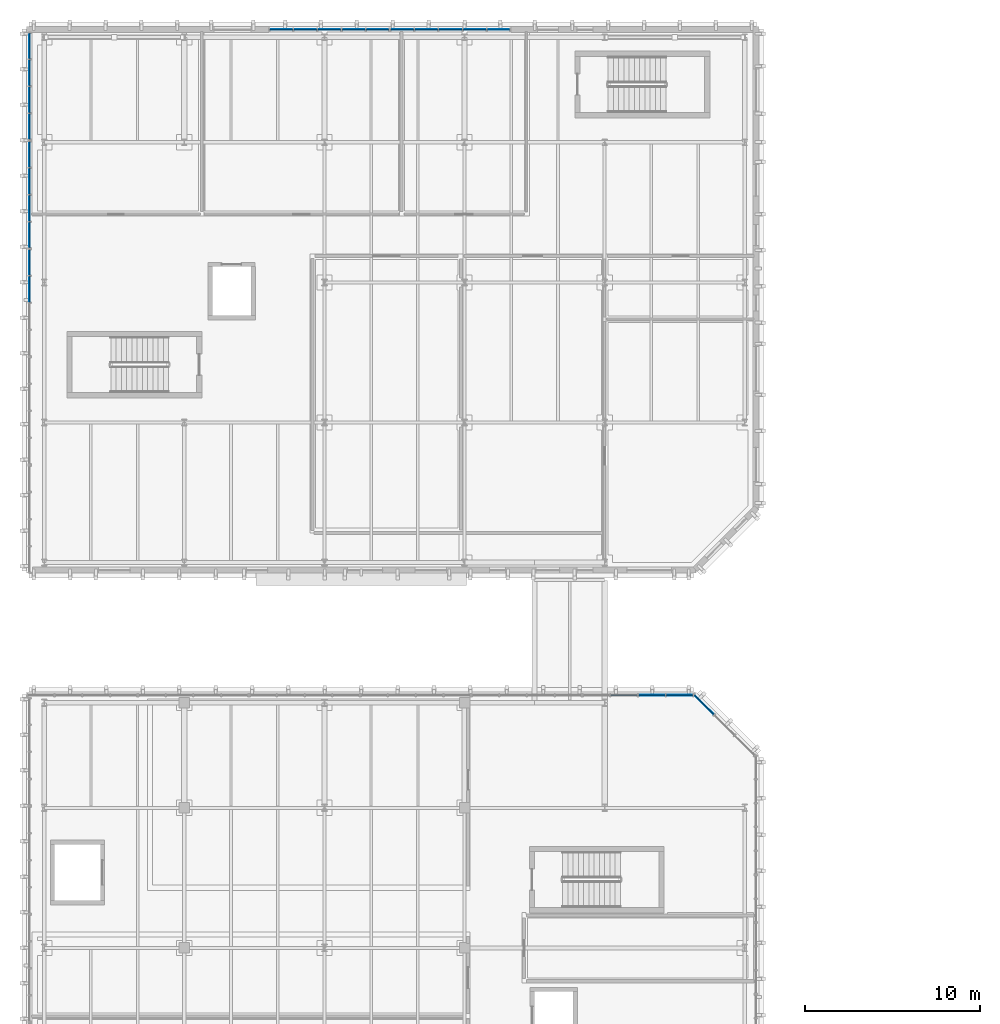
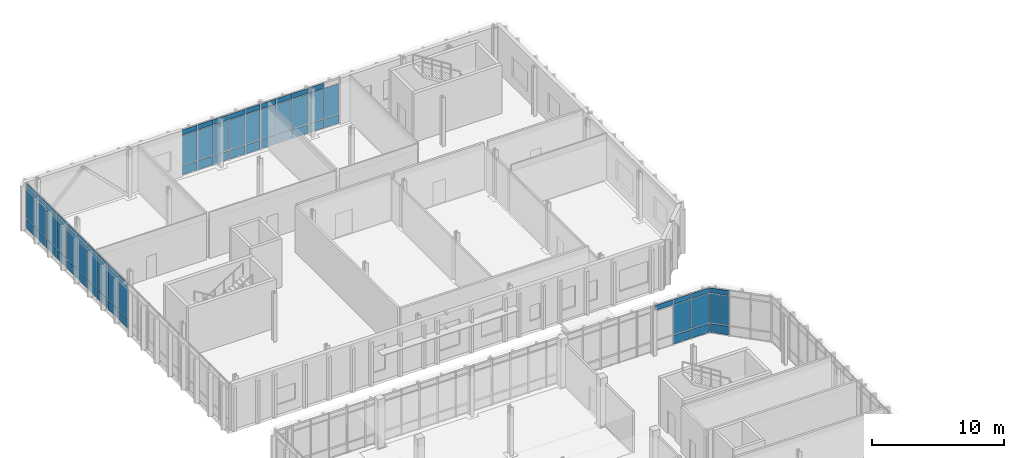
# One storey, part 34 of 62: 69 plates, 7 elements without a shape of their own.
"""IFC4 building model written with IfcOpenShell, lengths in metres."""

from ifc_helpers import new_model, si_unit, direction, frame, origin, origin_2d, place, context, subcontext, project, spatial, rectangle, extrude, material, layer, layer_set, type_object, element, aggregate, save


model = new_model("IFC4")

# Units and contexts
model_context = context("Model", 3, precision=1e-05, world=origin(), true_north=direction((0.0, 1.0)))
body_context = subcontext(model_context, "Body", "Model", "MODEL_VIEW")
ifc_project = project(units=[si_unit("LENGTHUNIT", "METRE"), si_unit("AREAUNIT", "SQUARE_METRE"), si_unit("VOLUMEUNIT", "CUBIC_METRE"), si_unit("PLANEANGLEUNIT", "RADIAN"), si_unit("MASSUNIT", "GRAM", prefix="KILO")], contexts=[model_context])

# Site, building, storey
site_placement = place(None, origin())
site = spatial("IfcSite", under=ifc_project, at=site_placement, CompositionType="ELEMENT")
building_placement = place(site_placement, origin())
building = spatial("IfcBuilding", under=site, at=building_placement, Name="Cymarion Research Institute", CompositionType="ELEMENT")
storey_placement = place(building_placement, frame((0.0, 0.0, 18.300048828125)))
storey = spatial("IfcBuildingStorey", under=building, at=storey_placement, Name="L04", CompositionType="ELEMENT", Elevation=18.300048828125)

# Curtain wall, plates
ifc_material_1 = material(Name="Anodised aluminium unitised curtain wall with Low-E glazing", Category="aluminium")
curtain_wall_type_1 = type_object("IfcCurtainWallType", Name="UNITISED CURTAIN WALL CW41 4970X4240", PredefinedType="NOTDEFINED", material=ifc_material_1)
curtain_wall_1_placement = place(storey_placement, origin())
curtain_wall_1 = element("IfcCurtainWall", 1, at=curtain_wall_1_placement, inside=storey, type_object=curtain_wall_type_1, Name="L04 V4 unitised curtain wall CW41 #181", PredefinedType="NOTDEFINED")
ifc_material_2 = material(Name="Insulated anodised aluminium spandrel panel", Category="aluminium")
ifc_layer_1 = layer(ifc_material_2, 0.06005859375)
ifc_layer_set_1 = layer_set([ifc_layer_1], Name="Insulated anodised aluminium spandrel panel")
plate_type_1 = type_object("IfcPlateType", Name="INSULATED ALUMINIUM SPANDREL PANEL SP01 60MM", PredefinedType="SHEET", material=ifc_layer_set_1)
plate_1_placement = place(storey_placement, frame((44.27587890625, 77.383544921875, 0.059814453125), z_axis=(0.0, 0.0, 1.0), x_axis=(-0.707096717405, 0.707116844825, 0.0)))
plate_1 = element("IfcPlate", 2, at=plate_1_placement, type_object=plate_type_1, Name="CW41 panel 3.1", PredefinedType="SHEET", context=body_context, shape_type="SweptSolid", body=[
    extrude(rectangle(XDim=1.566162109375, YDim=0.06005859375, at=origin_2d()), origin(), (0.0, 0.0, 1.0), 0.81005859375),
])
plate_2_placement = place(storey_placement, frame((44.27587890625, 77.383544921875, 3.719970703125), z_axis=(0.0, 0.0, 1.0), x_axis=(-0.707096717405, 0.707116844825, 0.0)))
plate_2 = element("IfcPlate", 3, at=plate_2_placement, type_object=plate_type_1, Name="CW41 panel 3.3", PredefinedType="SHEET", context=body_context, shape_type="SweptSolid", body=[
    extrude(rectangle(XDim=1.566162109375, YDim=0.06005859375, at=origin_2d()), origin(), (0.0, 0.0, 1.0), 0.4599609375),
])

curtain_wall_type_2 = type_object("IfcCurtainWallType", Name="UNITISED CURTAIN WALL CW42 6350X4240", PredefinedType="NOTDEFINED", material=ifc_material_1)
curtain_wall_2_placement = place(storey_placement, origin())
curtain_wall_2 = element("IfcCurtainWall", 4, at=curtain_wall_2_placement, inside=storey, type_object=curtain_wall_type_2, Name="L04 V4 unitised curtain wall CW42 #182", PredefinedType="NOTDEFINED")
plate_3_placement = place(storey_placement, frame((42.868896484375, 77.929931640625, 0.059814453125), z_axis=(0.0, 0.0, 1.0), x_axis=(-1.0, 0.0, 0.0)))
plate_3 = element("IfcPlate", 5, at=plate_3_placement, type_object=plate_type_1, Name="CW42 panel 1.1", PredefinedType="SHEET", context=body_context, shape_type="SweptSolid", body=[
    extrude(rectangle(XDim=1.49658203125, YDim=0.06005859375, at=origin_2d()), origin(), (0.0, 0.0, 1.0), 0.81005859375),
])
plate_4_placement = place(storey_placement, frame((42.868896484375, 77.929931640625, 3.719970703125), z_axis=(0.0, 0.0, 1.0), x_axis=(-1.0, 0.0, 0.0)))
plate_4 = element("IfcPlate", 6, at=plate_4_placement, type_object=plate_type_1, Name="CW42 panel 1.3", PredefinedType="SHEET", context=body_context, shape_type="SweptSolid", body=[
    extrude(rectangle(XDim=1.49658203125, YDim=0.06005859375, at=origin_2d()), origin(), (0.0, 0.0, 1.0), 0.4599609375),
])
plate_5_placement = place(storey_placement, frame((41.29736328125, 77.929931640625, 0.059814453125), z_axis=(0.0, 0.0, 1.0), x_axis=(-1.0, 0.0, 0.0)))
plate_5 = element("IfcPlate", 7, at=plate_5_placement, type_object=plate_type_1, Name="CW42 panel 2.1", PredefinedType="SHEET", context=body_context, shape_type="SweptSolid", body=[
    extrude(rectangle(XDim=1.526611328125, YDim=0.06005859375, at=origin_2d()), origin(), (0.0, 0.0, 1.0), 0.81005859375),
])
plate_6_placement = place(storey_placement, frame((41.29736328125, 77.929931640625, 3.719970703125), z_axis=(0.0, 0.0, 1.0), x_axis=(-1.0, 0.0, 0.0)))
plate_6 = element("IfcPlate", 8, at=plate_6_placement, type_object=plate_type_1, Name="CW42 panel 2.3", PredefinedType="SHEET", context=body_context, shape_type="SweptSolid", body=[
    extrude(rectangle(XDim=1.526611328125, YDim=0.06005859375, at=origin_2d()), origin(), (0.0, 0.0, 1.0), 0.4599609375),
])
plate_7_placement = place(storey_placement, frame((39.7109375, 77.929931640625, 3.719970703125), z_axis=(0.0, 0.0, 1.0), x_axis=(-1.0, 0.0, 0.0)))
plate_7 = element("IfcPlate", 9, at=plate_7_placement, type_object=plate_type_1, Name="CW42 panel 3.3", PredefinedType="SHEET", context=body_context, shape_type="SweptSolid", body=[
    extrude(rectangle(XDim=1.526611328125, YDim=0.06005859375, at=origin_2d()), origin(), (0.0, 0.0, 1.0), 0.4599609375),
])

curtain_wall_type_3 = type_object("IfcCurtainWallType", Name="UNITISED CURTAIN WALL CW44 6910X4280", PredefinedType="NOTDEFINED", material=ifc_material_1)
curtain_wall_3_placement = place(storey_placement, origin())
curtain_wall_3 = element("IfcCurtainWall", 10, at=curtain_wall_3_placement, inside=storey, type_object=curtain_wall_type_3, Name="L04 V5 unitised curtain wall CW44 #193", PredefinedType="NOTDEFINED")
plate_8_placement = place(storey_placement, frame((32.545654296875, 115.929931640625, 0.059814453125), z_axis=(0.0, 0.0, 1.0), x_axis=(-1.0, 0.0, 0.0)))
plate_8 = element("IfcPlate", 11, at=plate_8_placement, type_object=plate_type_1, Name="CW44 panel 1.1", PredefinedType="SHEET", context=body_context, shape_type="SweptSolid", body=[
    extrude(rectangle(XDim=1.29248046875, YDim=0.06005859375, at=origin_2d()), origin(), (0.0, 0.0, 1.0), 0.81005859375),
])
plate_9_placement = place(storey_placement, frame((31.177978515625, 115.929931640625, 0.059814453125), z_axis=(0.0, 0.0, 1.0), x_axis=(-1.0, 0.0, 0.0)))
plate_9 = element("IfcPlate", 12, at=plate_9_placement, type_object=plate_type_1, Name="CW44 panel 2.1", PredefinedType="SHEET", context=body_context, shape_type="SweptSolid", body=[
    extrude(rectangle(XDim=1.322509765625, YDim=0.06005859375, at=origin_2d()), origin(), (0.0, 0.0, 1.0), 0.81005859375),
])
plate_10_placement = place(storey_placement, frame((31.177978515625, 115.929931640625, 3.760009765625), z_axis=(0.0, 0.0, 1.0), x_axis=(-1.0, 0.0, 0.0)))
plate_10 = element("IfcPlate", 13, at=plate_10_placement, type_object=plate_type_1, Name="CW44 panel 2.3", PredefinedType="SHEET", context=body_context, shape_type="SweptSolid", body=[
    extrude(rectangle(XDim=1.322509765625, YDim=0.06005859375, at=origin_2d()), origin(), (0.0, 0.0, 1.0), 0.4599609375),
])
plate_11_placement = place(storey_placement, frame((29.79541015625, 115.929931640625, 0.059814453125), z_axis=(0.0, 0.0, 1.0), x_axis=(-1.0, 0.0, 0.0)))
plate_11 = element("IfcPlate", 14, at=plate_11_placement, type_object=plate_type_1, Name="CW44 panel 3.1", PredefinedType="SHEET", context=body_context, shape_type="SweptSolid", body=[
    extrude(rectangle(XDim=1.322509765625, YDim=0.06005859375, at=origin_2d()), origin(), (0.0, 0.0, 1.0), 0.81005859375),
])
plate_12_placement = place(storey_placement, frame((29.79541015625, 115.929931640625, 3.760009765625), z_axis=(0.0, 0.0, 1.0), x_axis=(-1.0, 0.0, 0.0)))
plate_12 = element("IfcPlate", 15, at=plate_12_placement, type_object=plate_type_1, Name="CW44 panel 3.3", PredefinedType="SHEET", context=body_context, shape_type="SweptSolid", body=[
    extrude(rectangle(XDim=1.322509765625, YDim=0.06005859375, at=origin_2d()), origin(), (0.0, 0.0, 1.0), 0.4599609375),
])
plate_13_placement = place(storey_placement, frame((28.412841796875, 115.929931640625, 0.059814453125), z_axis=(0.0, 0.0, 1.0), x_axis=(-1.0, 0.0, 0.0)))
plate_13 = element("IfcPlate", 16, at=plate_13_placement, type_object=plate_type_1, Name="CW44 panel 4.1", PredefinedType="SHEET", context=body_context, shape_type="SweptSolid", body=[
    extrude(rectangle(XDim=1.322509765625, YDim=0.06005859375, at=origin_2d()), origin(), (0.0, 0.0, 1.0), 0.81005859375),
])
plate_14_placement = place(storey_placement, frame((28.412841796875, 115.929931640625, 3.760009765625), z_axis=(0.0, 0.0, 1.0), x_axis=(-1.0, 0.0, 0.0)))
plate_14 = element("IfcPlate", 17, at=plate_14_placement, type_object=plate_type_1, Name="CW44 panel 4.3", PredefinedType="SHEET", context=body_context, shape_type="SweptSolid", body=[
    extrude(rectangle(XDim=1.322509765625, YDim=0.06005859375, at=origin_2d()), origin(), (0.0, 0.0, 1.0), 0.4599609375),
])
plate_15_placement = place(storey_placement, frame((27.04541015625, 115.929931640625, 0.059814453125), z_axis=(0.0, 0.0, 1.0), x_axis=(-1.0, 0.0, 0.0)))
plate_15 = element("IfcPlate", 18, at=plate_15_placement, type_object=plate_type_1, Name="CW44 panel 5.1", PredefinedType="SHEET", context=body_context, shape_type="SweptSolid", body=[
    extrude(rectangle(XDim=1.29248046875, YDim=0.06005859375, at=origin_2d()), origin(), (0.0, 0.0, 1.0), 0.81005859375),
])
plate_16_placement = place(storey_placement, frame((27.04541015625, 115.929931640625, 3.760009765625), z_axis=(0.0, 0.0, 1.0), x_axis=(-1.0, 0.0, 0.0)))
plate_16 = element("IfcPlate", 19, at=plate_16_placement, type_object=plate_type_1, Name="CW44 panel 5.3", PredefinedType="SHEET", context=body_context, shape_type="SweptSolid", body=[
    extrude(rectangle(XDim=1.29248046875, YDim=0.06005859375, at=origin_2d()), origin(), (0.0, 0.0, 1.0), 0.4599609375),
])

curtain_wall_4_placement = place(storey_placement, origin())
curtain_wall_4 = element("IfcCurtainWall", 20, at=curtain_wall_4_placement, inside=storey, type_object=curtain_wall_type_3, Name="L04 V5 unitised curtain wall CW44 #194", PredefinedType="NOTDEFINED")
plate_17_placement = place(storey_placement, frame((25.6328125, 115.929931640625, 0.059814453125), z_axis=(0.0, 0.0, 1.0), x_axis=(-1.0, 0.0, 0.0)))
plate_17 = element("IfcPlate", 21, at=plate_17_placement, type_object=plate_type_1, Name="CW44 panel 1.1", PredefinedType="SHEET", context=body_context, shape_type="SweptSolid", body=[
    extrude(rectangle(XDim=1.29248046875, YDim=0.06005859375, at=origin_2d()), origin(), (0.0, 0.0, 1.0), 0.81005859375),
])
plate_18_placement = place(storey_placement, frame((25.6328125, 115.929931640625, 3.760009765625), z_axis=(0.0, 0.0, 1.0), x_axis=(-1.0, 0.0, 0.0)))
plate_18 = element("IfcPlate", 22, at=plate_18_placement, type_object=plate_type_1, Name="CW44 panel 1.3", PredefinedType="SHEET", context=body_context, shape_type="SweptSolid", body=[
    extrude(rectangle(XDim=1.29248046875, YDim=0.06005859375, at=origin_2d()), origin(), (0.0, 0.0, 1.0), 0.4599609375),
])
plate_19_placement = place(storey_placement, frame((24.26513671875, 115.929931640625, 0.059814453125), z_axis=(0.0, 0.0, 1.0), x_axis=(-1.0, 0.0, 0.0)))
plate_19 = element("IfcPlate", 23, at=plate_19_placement, type_object=plate_type_1, Name="CW44 panel 2.1", PredefinedType="SHEET", context=body_context, shape_type="SweptSolid", body=[
    extrude(rectangle(XDim=1.322509765625, YDim=0.06005859375, at=origin_2d()), origin(), (0.0, 0.0, 1.0), 0.81005859375),
])
plate_20_placement = place(storey_placement, frame((24.26513671875, 115.929931640625, 3.760009765625), z_axis=(0.0, 0.0, 1.0), x_axis=(-1.0, 0.0, 0.0)))
plate_20 = element("IfcPlate", 24, at=plate_20_placement, type_object=plate_type_1, Name="CW44 panel 2.3", PredefinedType="SHEET", context=body_context, shape_type="SweptSolid", body=[
    extrude(rectangle(XDim=1.322509765625, YDim=0.06005859375, at=origin_2d()), origin(), (0.0, 0.0, 1.0), 0.4599609375),
])
plate_21_placement = place(storey_placement, frame((22.882568359375, 115.929931640625, 0.059814453125), z_axis=(0.0, 0.0, 1.0), x_axis=(-1.0, 0.0, 0.0)))
plate_21 = element("IfcPlate", 25, at=plate_21_placement, type_object=plate_type_1, Name="CW44 panel 3.1", PredefinedType="SHEET", context=body_context, shape_type="SweptSolid", body=[
    extrude(rectangle(XDim=1.322509765625, YDim=0.06005859375, at=origin_2d()), origin(), (0.0, 0.0, 1.0), 0.81005859375),
])
plate_22_placement = place(storey_placement, frame((22.882568359375, 115.929931640625, 3.760009765625), z_axis=(0.0, 0.0, 1.0), x_axis=(-1.0, 0.0, 0.0)))
plate_22 = element("IfcPlate", 26, at=plate_22_placement, type_object=plate_type_1, Name="CW44 panel 3.3", PredefinedType="SHEET", context=body_context, shape_type="SweptSolid", body=[
    extrude(rectangle(XDim=1.322509765625, YDim=0.06005859375, at=origin_2d()), origin(), (0.0, 0.0, 1.0), 0.4599609375),
])
plate_23_placement = place(storey_placement, frame((21.5, 115.929931640625, 0.059814453125), z_axis=(0.0, 0.0, 1.0), x_axis=(-1.0, 0.0, 0.0)))
plate_23 = element("IfcPlate", 27, at=plate_23_placement, type_object=plate_type_1, Name="CW44 panel 4.1", PredefinedType="SHEET", context=body_context, shape_type="SweptSolid", body=[
    extrude(rectangle(XDim=1.322509765625, YDim=0.06005859375, at=origin_2d()), origin(), (0.0, 0.0, 1.0), 0.81005859375),
])
plate_24_placement = place(storey_placement, frame((21.5, 115.929931640625, 3.760009765625), z_axis=(0.0, 0.0, 1.0), x_axis=(-1.0, 0.0, 0.0)))
plate_24 = element("IfcPlate", 28, at=plate_24_placement, type_object=plate_type_1, Name="CW44 panel 4.3", PredefinedType="SHEET", context=body_context, shape_type="SweptSolid", body=[
    extrude(rectangle(XDim=1.322509765625, YDim=0.06005859375, at=origin_2d()), origin(), (0.0, 0.0, 1.0), 0.4599609375),
])
plate_25_placement = place(storey_placement, frame((20.13232421875, 115.929931640625, 0.059814453125), z_axis=(0.0, 0.0, 1.0), x_axis=(-1.0, 0.0, 0.0)))
plate_25 = element("IfcPlate", 29, at=plate_25_placement, type_object=plate_type_1, Name="CW44 panel 5.1", PredefinedType="SHEET", context=body_context, shape_type="SweptSolid", body=[
    extrude(rectangle(XDim=1.29248046875, YDim=0.06005859375, at=origin_2d()), origin(), (0.0, 0.0, 1.0), 0.81005859375),
])
plate_26_placement = place(storey_placement, frame((20.13232421875, 115.929931640625, 3.760009765625), z_axis=(0.0, 0.0, 1.0), x_axis=(-1.0, 0.0, 0.0)))
plate_26 = element("IfcPlate", 30, at=plate_26_placement, type_object=plate_type_1, Name="CW44 panel 5.3", PredefinedType="SHEET", context=body_context, shape_type="SweptSolid", body=[
    extrude(rectangle(XDim=1.29248046875, YDim=0.06005859375, at=origin_2d()), origin(), (0.0, 0.0, 1.0), 0.4599609375),
])

curtain_wall_type_4 = type_object("IfcCurtainWallType", Name="UNITISED CURTAIN WALL CW45 6180X4280", PredefinedType="NOTDEFINED", material=ifc_material_1)
curtain_wall_5_placement = place(storey_placement, origin())
curtain_wall_5 = element("IfcCurtainWall", 31, at=curtain_wall_5_placement, inside=storey, type_object=curtain_wall_type_4, Name="L04 V5 unitised curtain wall CW45 #195", PredefinedType="NOTDEFINED")
plate_27_placement = place(storey_placement, frame((5.77001953125, 114.990966796875, 0.059814453125), z_axis=(0.0, 0.0, 1.0), x_axis=(0.0, -1.0, 0.0)))
plate_27 = element("IfcPlate", 32, at=plate_27_placement, type_object=plate_type_1, Name="CW45 panel 1.1", PredefinedType="SHEET", context=body_context, shape_type="SweptSolid", body=[
    extrude(rectangle(XDim=1.453857421875, YDim=0.06005859375, at=origin_2d()), origin(), (0.0, 0.0, 1.0), 0.81005859375),
])
plate_28_placement = place(storey_placement, frame((5.77001953125, 114.990966796875, 3.760009765625), z_axis=(0.0, 0.0, 1.0), x_axis=(0.0, -1.0, 0.0)))
plate_28 = element("IfcPlate", 33, at=plate_28_placement, type_object=plate_type_1, Name="CW45 panel 1.3", PredefinedType="SHEET", context=body_context, shape_type="SweptSolid", body=[
    extrude(rectangle(XDim=1.453857421875, YDim=0.06005859375, at=origin_2d()), origin(), (0.0, 0.0, 1.0), 0.4599609375),
])
plate_29_placement = place(storey_placement, frame((5.77001953125, 113.462158203125, 0.059814453125), z_axis=(0.0, 0.0, 1.0), x_axis=(0.0, -1.0, 0.0)))
plate_29 = element("IfcPlate", 34, at=plate_29_placement, type_object=plate_type_1, Name="CW45 panel 2.1", PredefinedType="SHEET", context=body_context, shape_type="SweptSolid", body=[
    extrude(rectangle(XDim=1.48388671875, YDim=0.06005859375, at=origin_2d()), origin(), (0.0, 0.0, 1.0), 0.81005859375),
])
plate_30_placement = place(storey_placement, frame((5.77001953125, 113.462158203125, 3.760009765625), z_axis=(0.0, 0.0, 1.0), x_axis=(0.0, -1.0, 0.0)))
plate_30 = element("IfcPlate", 35, at=plate_30_placement, type_object=plate_type_1, Name="CW45 panel 2.3", PredefinedType="SHEET", context=body_context, shape_type="SweptSolid", body=[
    extrude(rectangle(XDim=1.48388671875, YDim=0.06005859375, at=origin_2d()), origin(), (0.0, 0.0, 1.0), 0.4599609375),
])
plate_31_placement = place(storey_placement, frame((5.77001953125, 111.918212890625, 0.059814453125), z_axis=(0.0, 0.0, 1.0), x_axis=(0.0, -1.0, 0.0)))
plate_31 = element("IfcPlate", 36, at=plate_31_placement, type_object=plate_type_1, Name="CW45 panel 3.1", PredefinedType="SHEET", context=body_context, shape_type="SweptSolid", body=[
    extrude(rectangle(XDim=1.48388671875, YDim=0.06005859375, at=origin_2d()), origin(), (0.0, 0.0, 1.0), 0.81005859375),
])
plate_32_placement = place(storey_placement, frame((5.77001953125, 111.918212890625, 3.760009765625), z_axis=(0.0, 0.0, 1.0), x_axis=(0.0, -1.0, 0.0)))
plate_32 = element("IfcPlate", 37, at=plate_32_placement, type_object=plate_type_1, Name="CW45 panel 3.3", PredefinedType="SHEET", context=body_context, shape_type="SweptSolid", body=[
    extrude(rectangle(XDim=1.48388671875, YDim=0.06005859375, at=origin_2d()), origin(), (0.0, 0.0, 1.0), 0.4599609375),
])
plate_33_placement = place(storey_placement, frame((5.77001953125, 110.389404296875, 0.059814453125), z_axis=(0.0, 0.0, 1.0), x_axis=(0.0, -1.0, 0.0)))
plate_33 = element("IfcPlate", 38, at=plate_33_placement, type_object=plate_type_1, Name="CW45 panel 4.1", PredefinedType="SHEET", context=body_context, shape_type="SweptSolid", body=[
    extrude(rectangle(XDim=1.453857421875, YDim=0.06005859375, at=origin_2d()), origin(), (0.0, 0.0, 1.0), 0.81005859375),
])
plate_34_placement = place(storey_placement, frame((5.77001953125, 110.389404296875, 3.760009765625), z_axis=(0.0, 0.0, 1.0), x_axis=(0.0, -1.0, 0.0)))
plate_34 = element("IfcPlate", 39, at=plate_34_placement, type_object=plate_type_1, Name="CW45 panel 4.3", PredefinedType="SHEET", context=body_context, shape_type="SweptSolid", body=[
    extrude(rectangle(XDim=1.453857421875, YDim=0.06005859375, at=origin_2d()), origin(), (0.0, 0.0, 1.0), 0.4599609375),
])

curtain_wall_6_placement = place(storey_placement, origin())
curtain_wall_6 = element("IfcCurtainWall", 40, at=curtain_wall_6_placement, inside=storey, type_object=curtain_wall_type_4, Name="L04 V5 unitised curtain wall CW45 #196", PredefinedType="NOTDEFINED")
plate_35_placement = place(storey_placement, frame((5.77001953125, 108.8154296875, 0.059814453125), z_axis=(0.0, 0.0, 1.0), x_axis=(0.0, -1.0, 0.0)))
plate_35 = element("IfcPlate", 41, at=plate_35_placement, type_object=plate_type_1, Name="CW45 panel 1.1", PredefinedType="SHEET", context=body_context, shape_type="SweptSolid", body=[
    extrude(rectangle(XDim=1.453857421875, YDim=0.06005859375, at=origin_2d()), origin(), (0.0, 0.0, 1.0), 0.81005859375),
])
plate_36_placement = place(storey_placement, frame((5.77001953125, 108.8154296875, 3.760009765625), z_axis=(0.0, 0.0, 1.0), x_axis=(0.0, -1.0, 0.0)))
plate_36 = element("IfcPlate", 42, at=plate_36_placement, type_object=plate_type_1, Name="CW45 panel 1.3", PredefinedType="SHEET", context=body_context, shape_type="SweptSolid", body=[
    extrude(rectangle(XDim=1.453857421875, YDim=0.06005859375, at=origin_2d()), origin(), (0.0, 0.0, 1.0), 0.4599609375),
])
plate_37_placement = place(storey_placement, frame((5.77001953125, 107.28662109375, 0.059814453125), z_axis=(0.0, 0.0, 1.0), x_axis=(0.0, -1.0, 0.0)))
plate_37 = element("IfcPlate", 43, at=plate_37_placement, type_object=plate_type_1, Name="CW45 panel 2.1", PredefinedType="SHEET", context=body_context, shape_type="SweptSolid", body=[
    extrude(rectangle(XDim=1.48388671875, YDim=0.06005859375, at=origin_2d()), origin(), (0.0, 0.0, 1.0), 0.81005859375),
])
plate_38_placement = place(storey_placement, frame((5.77001953125, 107.28662109375, 3.760009765625), z_axis=(0.0, 0.0, 1.0), x_axis=(0.0, -1.0, 0.0)))
plate_38 = element("IfcPlate", 44, at=plate_38_placement, type_object=plate_type_1, Name="CW45 panel 2.3", PredefinedType="SHEET", context=body_context, shape_type="SweptSolid", body=[
    extrude(rectangle(XDim=1.48388671875, YDim=0.06005859375, at=origin_2d()), origin(), (0.0, 0.0, 1.0), 0.4599609375),
])
plate_39_placement = place(storey_placement, frame((5.77001953125, 105.74267578125, 0.059814453125), z_axis=(0.0, 0.0, 1.0), x_axis=(0.0, -1.0, 0.0)))
plate_39 = element("IfcPlate", 45, at=plate_39_placement, type_object=plate_type_1, Name="CW45 panel 3.1", PredefinedType="SHEET", context=body_context, shape_type="SweptSolid", body=[
    extrude(rectangle(XDim=1.48388671875, YDim=0.06005859375, at=origin_2d()), origin(), (0.0, 0.0, 1.0), 0.81005859375),
])
plate_40_placement = place(storey_placement, frame((5.77001953125, 105.74267578125, 3.760009765625), z_axis=(0.0, 0.0, 1.0), x_axis=(0.0, -1.0, 0.0)))
plate_40 = element("IfcPlate", 46, at=plate_40_placement, type_object=plate_type_1, Name="CW45 panel 3.3", PredefinedType="SHEET", context=body_context, shape_type="SweptSolid", body=[
    extrude(rectangle(XDim=1.48388671875, YDim=0.06005859375, at=origin_2d()), origin(), (0.0, 0.0, 1.0), 0.4599609375),
])
plate_41_placement = place(storey_placement, frame((5.77001953125, 104.2138671875, 0.059814453125), z_axis=(0.0, 0.0, 1.0), x_axis=(0.0, -1.0, 0.0)))
plate_41 = element("IfcPlate", 47, at=plate_41_placement, type_object=plate_type_1, Name="CW45 panel 4.1", PredefinedType="SHEET", context=body_context, shape_type="SweptSolid", body=[
    extrude(rectangle(XDim=1.453857421875, YDim=0.06005859375, at=origin_2d()), origin(), (0.0, 0.0, 1.0), 0.81005859375),
])
plate_42_placement = place(storey_placement, frame((5.77001953125, 104.2138671875, 3.760009765625), z_axis=(0.0, 0.0, 1.0), x_axis=(0.0, -1.0, 0.0)))
plate_42 = element("IfcPlate", 48, at=plate_42_placement, type_object=plate_type_1, Name="CW45 panel 4.3", PredefinedType="SHEET", context=body_context, shape_type="SweptSolid", body=[
    extrude(rectangle(XDim=1.453857421875, YDim=0.06005859375, at=origin_2d()), origin(), (0.0, 0.0, 1.0), 0.4599609375),
])

curtain_wall_7_placement = place(storey_placement, origin())
curtain_wall_7 = element("IfcCurtainWall", 49, at=curtain_wall_7_placement, inside=storey, type_object=curtain_wall_type_4, Name="L04 V5 unitised curtain wall CW45 #197", PredefinedType="NOTDEFINED")
plate_43_placement = place(storey_placement, frame((5.77001953125, 102.639892578125, 0.059814453125), z_axis=(0.0, 0.0, 1.0), x_axis=(0.0, -1.0, 0.0)))
plate_43 = element("IfcPlate", 50, at=plate_43_placement, type_object=plate_type_1, Name="CW45 panel 1.1", PredefinedType="SHEET", context=body_context, shape_type="SweptSolid", body=[
    extrude(rectangle(XDim=1.453857421875, YDim=0.06005859375, at=origin_2d()), origin(), (0.0, 0.0, 1.0), 0.81005859375),
])
plate_44_placement = place(storey_placement, frame((5.77001953125, 102.639892578125, 3.760009765625), z_axis=(0.0, 0.0, 1.0), x_axis=(0.0, -1.0, 0.0)))
plate_44 = element("IfcPlate", 51, at=plate_44_placement, type_object=plate_type_1, Name="CW45 panel 1.3", PredefinedType="SHEET", context=body_context, shape_type="SweptSolid", body=[
    extrude(rectangle(XDim=1.453857421875, YDim=0.06005859375, at=origin_2d()), origin(), (0.0, 0.0, 1.0), 0.4599609375),
])
plate_45_placement = place(storey_placement, frame((5.77001953125, 101.11083984375, 0.059814453125), z_axis=(0.0, 0.0, 1.0), x_axis=(0.0, -1.0, 0.0)))
plate_45 = element("IfcPlate", 52, at=plate_45_placement, type_object=plate_type_1, Name="CW45 panel 2.1", PredefinedType="SHEET", context=body_context, shape_type="SweptSolid", body=[
    extrude(rectangle(XDim=1.48388671875, YDim=0.06005859375, at=origin_2d()), origin(), (0.0, 0.0, 1.0), 0.81005859375),
])
plate_46_placement = place(storey_placement, frame((5.77001953125, 101.11083984375, 3.760009765625), z_axis=(0.0, 0.0, 1.0), x_axis=(0.0, -1.0, 0.0)))
plate_46 = element("IfcPlate", 53, at=plate_46_placement, type_object=plate_type_1, Name="CW45 panel 2.3", PredefinedType="SHEET", context=body_context, shape_type="SweptSolid", body=[
    extrude(rectangle(XDim=1.48388671875, YDim=0.06005859375, at=origin_2d()), origin(), (0.0, 0.0, 1.0), 0.4599609375),
])

# Plate
ifc_material_3 = material(Name="Low-E double solar-control glazing", Category="glass")
ifc_layer_2 = layer(ifc_material_3, 0.035888671875)
ifc_layer_set_2 = layer_set([ifc_layer_2], Name="Low-E double solar-control glazing")
plate_type_2 = type_object("IfcPlateType", Name="SOLAR CONTROL GLAZED VISION PANEL GP01 36MM", PredefinedType="CURTAIN_PANEL", material=ifc_layer_set_2)
plate_47_placement = place(storey_placement, frame((44.27587890625, 77.383544921875, 0.929931640625), z_axis=(0.0, 0.0, 1.0), x_axis=(-0.707096717405, 0.707116844825, 0.0)))
plate_47 = element("IfcPlate", 54, at=plate_47_placement, type_object=plate_type_2, Name="CW41 panel 3.2", PredefinedType="CURTAIN_PANEL", context=body_context, shape_type="SweptSolid", body=[
    extrude(rectangle(XDim=1.566162109375, YDim=0.035888671875, at=origin_2d()), origin(), (0.0, 0.0, 1.0), 2.72998046875),
])

aggregate(curtain_wall_1, [plate_1, plate_47, plate_2])

plate_48_placement = place(storey_placement, frame((42.868896484375, 77.929931640625, 0.929931640625), z_axis=(0.0, 0.0, 1.0), x_axis=(-1.0, 0.0, 0.0)))
plate_48 = element("IfcPlate", 55, at=plate_48_placement, type_object=plate_type_2, Name="CW42 panel 1.2", PredefinedType="CURTAIN_PANEL", context=body_context, shape_type="SweptSolid", body=[
    extrude(rectangle(XDim=1.49658203125, YDim=0.035888671875, at=origin_2d()), origin(), (0.0, 0.0, 1.0), 2.72998046875),
])

plate_49_placement = place(storey_placement, frame((41.29736328125, 77.929931640625, 0.929931640625), z_axis=(0.0, 0.0, 1.0), x_axis=(-1.0, 0.0, 0.0)))
plate_49 = element("IfcPlate", 56, at=plate_49_placement, type_object=plate_type_2, Name="CW42 panel 2.2", PredefinedType="CURTAIN_PANEL", context=body_context, shape_type="SweptSolid", body=[
    extrude(rectangle(XDim=1.526611328125, YDim=0.035888671875, at=origin_2d()), origin(), (0.0, 0.0, 1.0), 2.72998046875),
])

aggregate(curtain_wall_2, [plate_3, plate_48, plate_4, plate_5, plate_49, plate_6, plate_7])

plate_50_placement = place(storey_placement, frame((32.545654296875, 115.929931640625, 0.929931640625), z_axis=(0.0, 0.0, 1.0), x_axis=(-1.0, 0.0, 0.0)))
plate_50 = element("IfcPlate", 57, at=plate_50_placement, type_object=plate_type_2, Name="CW44 panel 1.2", PredefinedType="CURTAIN_PANEL", context=body_context, shape_type="SweptSolid", body=[
    extrude(rectangle(XDim=1.29248046875, YDim=0.035888671875, at=origin_2d()), origin(), (0.0, 0.0, 1.0), 2.77001953125),
])

plate_51_placement = place(storey_placement, frame((31.177978515625, 115.929931640625, 0.929931640625), z_axis=(0.0, 0.0, 1.0), x_axis=(-1.0, 0.0, 0.0)))
plate_51 = element("IfcPlate", 58, at=plate_51_placement, type_object=plate_type_2, Name="CW44 panel 2.2", PredefinedType="CURTAIN_PANEL", context=body_context, shape_type="SweptSolid", body=[
    extrude(rectangle(XDim=1.322509765625, YDim=0.035888671875, at=origin_2d()), origin(), (0.0, 0.0, 1.0), 2.77001953125),
])

plate_52_placement = place(storey_placement, frame((29.79541015625, 115.929931640625, 0.929931640625), z_axis=(0.0, 0.0, 1.0), x_axis=(-1.0, 0.0, 0.0)))
plate_52 = element("IfcPlate", 59, at=plate_52_placement, type_object=plate_type_2, Name="CW44 panel 3.2", PredefinedType="CURTAIN_PANEL", context=body_context, shape_type="SweptSolid", body=[
    extrude(rectangle(XDim=1.322509765625, YDim=0.035888671875, at=origin_2d()), origin(), (0.0, 0.0, 1.0), 2.77001953125),
])

plate_53_placement = place(storey_placement, frame((28.412841796875, 115.929931640625, 0.929931640625), z_axis=(0.0, 0.0, 1.0), x_axis=(-1.0, 0.0, 0.0)))
plate_53 = element("IfcPlate", 60, at=plate_53_placement, type_object=plate_type_2, Name="CW44 panel 4.2", PredefinedType="CURTAIN_PANEL", context=body_context, shape_type="SweptSolid", body=[
    extrude(rectangle(XDim=1.322509765625, YDim=0.035888671875, at=origin_2d()), origin(), (0.0, 0.0, 1.0), 2.77001953125),
])

plate_54_placement = place(storey_placement, frame((27.04541015625, 115.929931640625, 0.929931640625), z_axis=(0.0, 0.0, 1.0), x_axis=(-1.0, 0.0, 0.0)))
plate_54 = element("IfcPlate", 61, at=plate_54_placement, type_object=plate_type_2, Name="CW44 panel 5.2", PredefinedType="CURTAIN_PANEL", context=body_context, shape_type="SweptSolid", body=[
    extrude(rectangle(XDim=1.29248046875, YDim=0.035888671875, at=origin_2d()), origin(), (0.0, 0.0, 1.0), 2.77001953125),
])

aggregate(curtain_wall_3, [plate_8, plate_50, plate_9, plate_51, plate_10, plate_11, plate_52, plate_12, plate_13, plate_53, plate_14, plate_15, plate_54, plate_16])

plate_55_placement = place(storey_placement, frame((25.6328125, 115.929931640625, 0.929931640625), z_axis=(0.0, 0.0, 1.0), x_axis=(-1.0, 0.0, 0.0)))
plate_55 = element("IfcPlate", 62, at=plate_55_placement, type_object=plate_type_2, Name="CW44 panel 1.2", PredefinedType="CURTAIN_PANEL", context=body_context, shape_type="SweptSolid", body=[
    extrude(rectangle(XDim=1.29248046875, YDim=0.035888671875, at=origin_2d()), origin(), (0.0, 0.0, 1.0), 2.77001953125),
])

plate_56_placement = place(storey_placement, frame((24.26513671875, 115.929931640625, 0.929931640625), z_axis=(0.0, 0.0, 1.0), x_axis=(-1.0, 0.0, 0.0)))
plate_56 = element("IfcPlate", 63, at=plate_56_placement, type_object=plate_type_2, Name="CW44 panel 2.2", PredefinedType="CURTAIN_PANEL", context=body_context, shape_type="SweptSolid", body=[
    extrude(rectangle(XDim=1.322509765625, YDim=0.035888671875, at=origin_2d()), origin(), (0.0, 0.0, 1.0), 2.77001953125),
])

plate_57_placement = place(storey_placement, frame((22.882568359375, 115.929931640625, 0.929931640625), z_axis=(0.0, 0.0, 1.0), x_axis=(-1.0, 0.0, 0.0)))
plate_57 = element("IfcPlate", 64, at=plate_57_placement, type_object=plate_type_2, Name="CW44 panel 3.2", PredefinedType="CURTAIN_PANEL", context=body_context, shape_type="SweptSolid", body=[
    extrude(rectangle(XDim=1.322509765625, YDim=0.035888671875, at=origin_2d()), origin(), (0.0, 0.0, 1.0), 2.77001953125),
])

plate_58_placement = place(storey_placement, frame((21.5, 115.929931640625, 0.929931640625), z_axis=(0.0, 0.0, 1.0), x_axis=(-1.0, 0.0, 0.0)))
plate_58 = element("IfcPlate", 65, at=plate_58_placement, type_object=plate_type_2, Name="CW44 panel 4.2", PredefinedType="CURTAIN_PANEL", context=body_context, shape_type="SweptSolid", body=[
    extrude(rectangle(XDim=1.322509765625, YDim=0.035888671875, at=origin_2d()), origin(), (0.0, 0.0, 1.0), 2.77001953125),
])

plate_59_placement = place(storey_placement, frame((20.13232421875, 115.929931640625, 0.929931640625), z_axis=(0.0, 0.0, 1.0), x_axis=(-1.0, 0.0, 0.0)))
plate_59 = element("IfcPlate", 66, at=plate_59_placement, type_object=plate_type_2, Name="CW44 panel 5.2", PredefinedType="CURTAIN_PANEL", context=body_context, shape_type="SweptSolid", body=[
    extrude(rectangle(XDim=1.29248046875, YDim=0.035888671875, at=origin_2d()), origin(), (0.0, 0.0, 1.0), 2.77001953125),
])

aggregate(curtain_wall_4, [plate_17, plate_55, plate_18, plate_19, plate_56, plate_20, plate_21, plate_57, plate_22, plate_23, plate_58, plate_24, plate_25, plate_59, plate_26])

plate_60_placement = place(storey_placement, frame((5.77001953125, 114.990966796875, 0.929931640625), z_axis=(0.0, 0.0, 1.0), x_axis=(0.0, -1.0, 0.0)))
plate_60 = element("IfcPlate", 67, at=plate_60_placement, type_object=plate_type_2, Name="CW45 panel 1.2", PredefinedType="CURTAIN_PANEL", context=body_context, shape_type="SweptSolid", body=[
    extrude(rectangle(XDim=1.453857421875, YDim=0.035888671875, at=origin_2d()), origin(), (0.0, 0.0, 1.0), 2.77001953125),
])

plate_61_placement = place(storey_placement, frame((5.77001953125, 113.462158203125, 0.929931640625), z_axis=(0.0, 0.0, 1.0), x_axis=(0.0, -1.0, 0.0)))
plate_61 = element("IfcPlate", 68, at=plate_61_placement, type_object=plate_type_2, Name="CW45 panel 2.2", PredefinedType="CURTAIN_PANEL", context=body_context, shape_type="SweptSolid", body=[
    extrude(rectangle(XDim=1.48388671875, YDim=0.035888671875, at=origin_2d()), origin(), (0.0, 0.0, 1.0), 2.77001953125),
])

plate_62_placement = place(storey_placement, frame((5.77001953125, 111.918212890625, 0.929931640625), z_axis=(0.0, 0.0, 1.0), x_axis=(0.0, -1.0, 0.0)))
plate_62 = element("IfcPlate", 69, at=plate_62_placement, type_object=plate_type_2, Name="CW45 panel 3.2", PredefinedType="CURTAIN_PANEL", context=body_context, shape_type="SweptSolid", body=[
    extrude(rectangle(XDim=1.48388671875, YDim=0.035888671875, at=origin_2d()), origin(), (0.0, 0.0, 1.0), 2.77001953125),
])

plate_63_placement = place(storey_placement, frame((5.77001953125, 110.389404296875, 0.929931640625), z_axis=(0.0, 0.0, 1.0), x_axis=(0.0, -1.0, 0.0)))
plate_63 = element("IfcPlate", 70, at=plate_63_placement, type_object=plate_type_2, Name="CW45 panel 4.2", PredefinedType="CURTAIN_PANEL", context=body_context, shape_type="SweptSolid", body=[
    extrude(rectangle(XDim=1.453857421875, YDim=0.035888671875, at=origin_2d()), origin(), (0.0, 0.0, 1.0), 2.77001953125),
])

aggregate(curtain_wall_5, [plate_27, plate_60, plate_28, plate_29, plate_61, plate_30, plate_31, plate_62, plate_32, plate_33, plate_63, plate_34])

plate_64_placement = place(storey_placement, frame((5.77001953125, 108.8154296875, 0.929931640625), z_axis=(0.0, 0.0, 1.0), x_axis=(0.0, -1.0, 0.0)))
plate_64 = element("IfcPlate", 71, at=plate_64_placement, type_object=plate_type_2, Name="CW45 panel 1.2", PredefinedType="CURTAIN_PANEL", context=body_context, shape_type="SweptSolid", body=[
    extrude(rectangle(XDim=1.453857421875, YDim=0.035888671875, at=origin_2d()), origin(), (0.0, 0.0, 1.0), 2.77001953125),
])

plate_65_placement = place(storey_placement, frame((5.77001953125, 107.28662109375, 0.929931640625), z_axis=(0.0, 0.0, 1.0), x_axis=(0.0, -1.0, 0.0)))
plate_65 = element("IfcPlate", 72, at=plate_65_placement, type_object=plate_type_2, Name="CW45 panel 2.2", PredefinedType="CURTAIN_PANEL", context=body_context, shape_type="SweptSolid", body=[
    extrude(rectangle(XDim=1.48388671875, YDim=0.035888671875, at=origin_2d()), origin(), (0.0, 0.0, 1.0), 2.77001953125),
])

plate_66_placement = place(storey_placement, frame((5.77001953125, 105.74267578125, 0.929931640625), z_axis=(0.0, 0.0, 1.0), x_axis=(0.0, -1.0, 0.0)))
plate_66 = element("IfcPlate", 73, at=plate_66_placement, type_object=plate_type_2, Name="CW45 panel 3.2", PredefinedType="CURTAIN_PANEL", context=body_context, shape_type="SweptSolid", body=[
    extrude(rectangle(XDim=1.48388671875, YDim=0.035888671875, at=origin_2d()), origin(), (0.0, 0.0, 1.0), 2.77001953125),
])

plate_67_placement = place(storey_placement, frame((5.77001953125, 104.2138671875, 0.929931640625), z_axis=(0.0, 0.0, 1.0), x_axis=(0.0, -1.0, 0.0)))
plate_67 = element("IfcPlate", 74, at=plate_67_placement, type_object=plate_type_2, Name="CW45 panel 4.2", PredefinedType="CURTAIN_PANEL", context=body_context, shape_type="SweptSolid", body=[
    extrude(rectangle(XDim=1.453857421875, YDim=0.035888671875, at=origin_2d()), origin(), (0.0, 0.0, 1.0), 2.77001953125),
])

aggregate(curtain_wall_6, [plate_35, plate_64, plate_36, plate_37, plate_65, plate_38, plate_39, plate_66, plate_40, plate_41, plate_67, plate_42])

plate_68_placement = place(storey_placement, frame((5.77001953125, 102.639892578125, 0.929931640625), z_axis=(0.0, 0.0, 1.0), x_axis=(0.0, -1.0, 0.0)))
plate_68 = element("IfcPlate", 75, at=plate_68_placement, type_object=plate_type_2, Name="CW45 panel 1.2", PredefinedType="CURTAIN_PANEL", context=body_context, shape_type="SweptSolid", body=[
    extrude(rectangle(XDim=1.453857421875, YDim=0.035888671875, at=origin_2d()), origin(), (0.0, 0.0, 1.0), 2.77001953125),
])

plate_69_placement = place(storey_placement, frame((5.77001953125, 101.11083984375, 0.929931640625), z_axis=(0.0, 0.0, 1.0), x_axis=(0.0, -1.0, 0.0)))
plate_69 = element("IfcPlate", 76, at=plate_69_placement, type_object=plate_type_2, Name="CW45 panel 2.2", PredefinedType="CURTAIN_PANEL", context=body_context, shape_type="SweptSolid", body=[
    extrude(rectangle(XDim=1.48388671875, YDim=0.035888671875, at=origin_2d()), origin(), (0.0, 0.0, 1.0), 2.77001953125),
])

aggregate(curtain_wall_7, [plate_43, plate_68, plate_44, plate_45, plate_69, plate_46])

save(model, "model.ifc")
